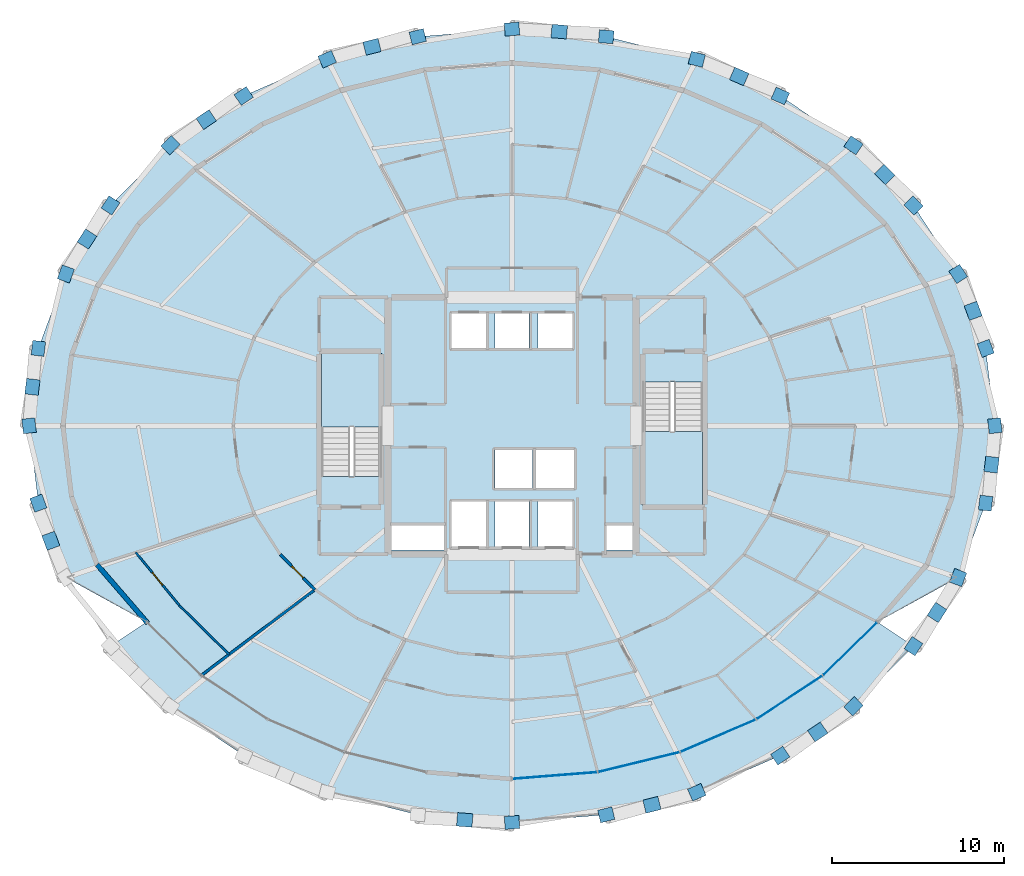
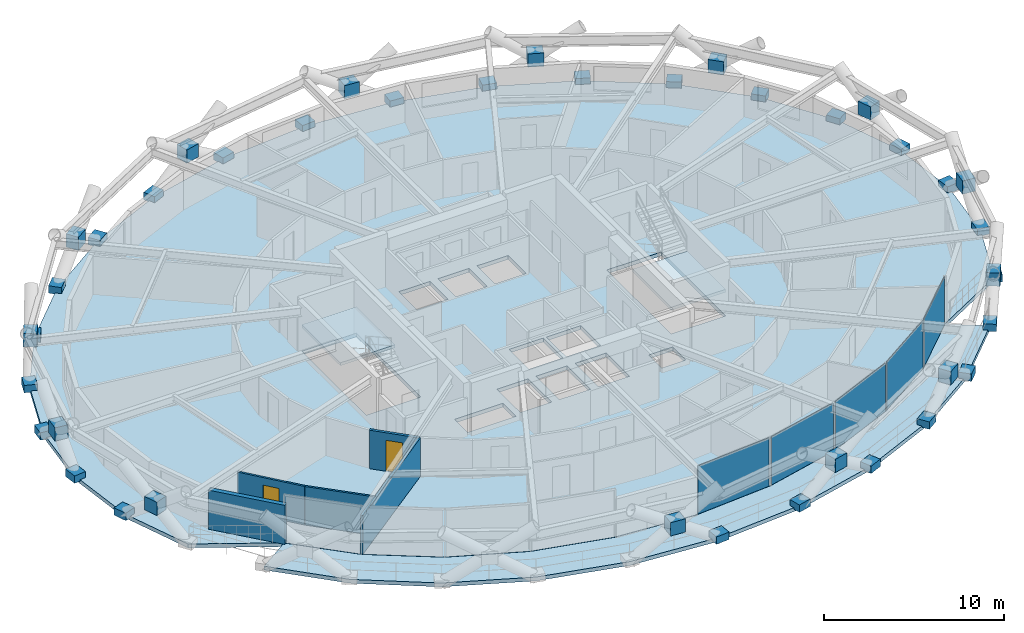
# One storey, part 11 of 18: 45 plates, 5 walls, 4 slabs, 2 doors, 2 openings, 3 elements without a shape of their own.
"""IFC4 building model written with IfcOpenShell, lengths in metres."""

from ifc_helpers import new_model, si_unit, direction, frame, frame_2d, origin, origin_2d, place, context, subcontext, project, spatial, polyline, rectangle, outline, extrude, material, layer, layer_set, type_object, element, fill, aggregate, save


model = new_model("IFC4")

# Units and contexts
model_context = context("Model", 3, precision=1e-05, world=origin(), true_north=direction((0.0, 1.0)))
body_context = subcontext(model_context, "Body", "Model", "MODEL_VIEW")
ifc_project = project(units=[si_unit("LENGTHUNIT", "METRE"), si_unit("AREAUNIT", "SQUARE_METRE"), si_unit("VOLUMEUNIT", "CUBIC_METRE"), si_unit("PLANEANGLEUNIT", "RADIAN"), si_unit("MASSUNIT", "GRAM", prefix="KILO")], contexts=[model_context])

# Site, building, storey
site_placement = place(None, origin())
site = spatial("IfcSite", under=ifc_project, at=site_placement, CompositionType="ELEMENT")
building_placement = place(site_placement, origin())
building = spatial("IfcBuilding", under=site, at=building_placement, Name="Veldorina Hangang Commons", CompositionType="ELEMENT")
storey_placement = place(building_placement, frame((0.0, 0.0, 41.199951171875)))
storey = spatial("IfcBuildingStorey", under=building, at=storey_placement, Name="L09", CompositionType="ELEMENT", Elevation=41.199951171875)

# Curtain wall, plates
ifc_material_1 = material(Name="Glass Low-E Triple IGU", Category="glass")
ifc_layer_1 = layer(ifc_material_1, 0.179931640625)
ifc_layer_set_1 = layer_set([ifc_layer_1], Name="Glass Low-E Triple IGU")
curtain_wall_type = type_object("IfcCurtainWallType", Name="CW-SYS-Z1", PredefinedType="NOTDEFINED", material=ifc_layer_set_1)
curtain_wall_placement = place(storey_placement, origin())
curtain_wall = element("IfcCurtainWall", 1, at=curtain_wall_placement, inside=storey, type_object=curtain_wall_type, Name="L09 unitised curtain wall CW-L09-R2", PredefinedType="NOTDEFINED")
ifc_layer_2 = layer(ifc_material_1, 0.0400390625)
ifc_layer_set_2 = layer_set([ifc_layer_2], Name="Glass Low-E Triple IGU")
plate_type_1 = type_object("IfcPlateType", Name="CW-PNL-VIS", PredefinedType="CURTAIN_PANEL", material=ifc_layer_set_2)
plate_1_placement = place(storey_placement, frame((34.485107421875, 3.72119140625, 0.01513671875), z_axis=(0.0, 0.0, 1.0), x_axis=(0.996881627483, 0.07891147437, 0.0)))
plate_1 = element("IfcPlate", 2, at=plate_1_placement, type_object=plate_type_1, Name="CW-L09-R2 facet 1 glazed vision panel", PredefinedType="CURTAIN_PANEL", context=body_context, shape_type="SweptSolid", body=[
    extrude(rectangle(XDim=4.805419921875, YDim=0.0400390625, at=origin_2d()), origin(), (0.0, 0.0, 1.0), 3.27001953125),
])
plate_2_placement = place(storey_placement, frame((39.359619140625, 4.50048828125, 0.01513671875), z_axis=(0.0, 0.0, 1.0), x_axis=(0.971540852195, 0.236872059383, 0.0)))
plate_2 = element("IfcPlate", 3, at=plate_2_placement, type_object=plate_type_1, Name="CW-L09-R2 facet 2 glazed vision panel", PredefinedType="CURTAIN_PANEL", context=body_context, shape_type="SweptSolid", body=[
    extrude(rectangle(XDim=4.739013671875, YDim=0.0400390625, at=origin_2d()), origin(), (0.0, 0.0, 1.0), 3.27001953125),
])
plate_3_placement = place(storey_placement, frame((43.951171875, 6.029296875, 0.01513671875), z_axis=(0.0, 0.0, 1.0), x_axis=(0.918804988749, 0.39471178428, 0.0)))
plate_3 = element("IfcPlate", 4, at=plate_3_placement, type_object=plate_type_1, Name="CW-L09-R2 facet 3 glazed vision panel", PredefinedType="CURTAIN_PANEL", context=body_context, shape_type="SweptSolid", body=[
    extrude(rectangle(XDim=4.613525390625, YDim=0.0400390625, at=origin_2d()), origin(), (0.0, 0.0, 1.0), 3.27001953125),
])
plate_4_placement = place(storey_placement, frame((48.08349609375, 8.24853515625, 0.01513671875), z_axis=(0.0, 0.0, 1.0), x_axis=(0.834751773535, 0.55062644014, 0.0)))
plate_4 = element("IfcPlate", 5, at=plate_4_placement, type_object=plate_type_1, Name="CW-L09-R2 facet 4 glazed vision panel", PredefinedType="CURTAIN_PANEL", context=body_context, shape_type="SweptSolid", body=[
    extrude(rectangle(XDim=4.444580078125, YDim=0.0400390625, at=origin_2d()), origin(), (0.0, 0.0, 1.0), 3.27001953125),
])
plate_5_placement = place(storey_placement, frame((51.597900390625, 11.072998046875, 0.01513671875), z_axis=(0.0, 0.0, 1.0), x_axis=(0.71444825634, 0.699688279888, 0.0)))
plate_5 = element("IfcPlate", 6, at=plate_5_placement, type_object=plate_type_1, Name="CW-L09-R2 facet 5 glazed vision panel", PredefinedType="CURTAIN_PANEL", context=body_context, shape_type="SweptSolid", body=[
    extrude(rectangle(XDim=4.25439453125, YDim=0.0400390625, at=origin_2d()), origin(), (0.0, 0.0, 1.0), 3.27001953125),
])
aggregate(curtain_wall, [plate_1, plate_2, plate_3, plate_4, plate_5])

# Plates
ifc_material_2 = material(Name="Steel SM460-TMC", Category="steel")
ifc_layer_3 = layer(ifc_material_2, 0.035888671875)
ifc_layer_set_3 = layer_set([ifc_layer_3], Name="Steel SM460-TMC")
plate_type_2 = type_object("IfcPlateType", Name="PL-STAR-36", PredefinedType="USERDEFINED", material=ifc_layer_set_3)
for number, where, z_axis, x_axis, name in (
    (7, (59.995361328125, 24.0, -0.08984375), (0.0, 0.0, 1.0), (-0.11904517272, 0.992888839122, 0.0), "L09 diagrid star-node gusset plate 00"),
    (8, (59.45751953125, 28.486083984375, -0.08984375), (0.0, 0.0, 1.0), (-0.34642815407, 0.938076507577, 0.0), "L09 diagrid star-node gusset plate 01"),
):
    element("IfcPlate", number, at=place(storey_placement, frame(where, z_axis=z_axis, x_axis=x_axis)), inside=storey, type_object=plate_type_2, Name=name, ObjectType="GUSSET PLATE", PredefinedType="USERDEFINED", context=body_context, shape_type="SweptSolid", body=[
        extrude(rectangle(XDim=0.85009765625, YDim=0.75, at=origin_2d()), origin(), (0.0, 0.0, 1.0), 0.5),
    ])
plate_6_placement = place(storey_placement, frame((58.735107421875, 30.66552734375, 1.34423828125), z_axis=(0.0, 0.0, 1.0), x_axis=(-0.34642815407, 0.938076507577, 0.0)))
element("IfcPlate", 9, at=plate_6_placement, inside=storey, type_object=plate_type_2, Name="L09 diagrid X-crossing star-node gusset plate 01", ObjectType="GUSSET PLATE", PredefinedType="USERDEFINED", context=body_context, shape_type="SweptSolid", body=[
    extrude(rectangle(XDim=0.89990234375, YDim=0.780029296875, at=origin_2d()), origin(), (0.0, 0.0, 1.0), 0.89990234375),
])
for number, where, z_axis, x_axis, name in (
    (10, (57.864501953125, 32.800048828125, -0.08984375), (0.0, 0.0, 1.0), (-0.545429221395, 0.838156885343, 0.0), "L09 diagrid star-node gusset plate 02"),
    (11, (55.27734375, 36.775634765625, -0.08984375), (0.0, 0.0, 1.0), (-0.706798180347, 0.707415247403, 0.0), "L09 diagrid star-node gusset plate 03"),
):
    element("IfcPlate", number, at=place(storey_placement, frame(where, z_axis=z_axis, x_axis=x_axis)), inside=storey, type_object=plate_type_2, Name=name, ObjectType="GUSSET PLATE", PredefinedType="USERDEFINED", context=body_context, shape_type="SweptSolid", body=[
        extrude(rectangle(XDim=0.85009765625, YDim=0.75, at=origin_2d()), origin(), (0.0, 0.0, 1.0), 0.5),
    ])
plate_7_placement = place(storey_placement, frame((53.5966796875, 38.5673828125, 1.344482421875), z_axis=(0.0, 0.0, 1.0), x_axis=(-0.706798180347, 0.707415247403, 0.0)))
element("IfcPlate", 12, at=plate_7_placement, inside=storey, type_object=plate_type_2, Name="L09 diagrid X-crossing star-node gusset plate 03", ObjectType="GUSSET PLATE", PredefinedType="USERDEFINED", context=body_context, shape_type="SweptSolid", body=[
    extrude(rectangle(XDim=0.89990234375, YDim=0.780029296875, at=origin_2d()), origin(), (0.0, 0.0, 1.0), 0.89990234375),
])
for number, where, z_axis, x_axis, name in (
    (13, (51.795654296875, 40.26025390625, -0.08984375), (0.0, 0.0, 1.0), (-0.829183940502, 0.558975842781, 0.0), "L09 diagrid star-node gusset plate 04"),
    (14, (47.553466796875, 43.1201171875, -0.08984375), (0.0, 0.0, 1.0), (-0.91563452986, 0.402011700985, 0.0), "L09 diagrid star-node gusset plate 05"),
):
    element("IfcPlate", number, at=place(storey_placement, frame(where, z_axis=z_axis, x_axis=x_axis)), inside=storey, type_object=plate_type_2, Name=name, ObjectType="GUSSET PLATE", PredefinedType="USERDEFINED", context=body_context, shape_type="SweptSolid", body=[
        extrude(rectangle(XDim=0.85009765625, YDim=0.75, at=origin_2d()), origin(), (0.0, 0.0, 1.0), 0.5),
    ])
plate_8_placement = place(storey_placement, frame((45.169921875, 44.2509765625, 1.344970703125), z_axis=(0.0, 0.0, 1.0), x_axis=(-0.91563452986, 0.402011700985, 0.0)))
element("IfcPlate", 15, at=plate_8_placement, inside=storey, type_object=plate_type_2, Name="L09 diagrid X-crossing star-node gusset plate 05", ObjectType="GUSSET PLATE", PredefinedType="USERDEFINED", context=body_context, shape_type="SweptSolid", body=[
    extrude(rectangle(XDim=0.89990234375, YDim=0.780029296875, at=origin_2d()), origin(), (0.0, 0.0, 1.0), 0.89990234375),
])
for number, where, z_axis, x_axis, name in (
    (16, (42.71337890625, 45.2451171875, -0.08984375), (0.0, 0.0, 1.0), (-0.970333715308, 0.241769478919, 0.0), "L09 diagrid star-node gusset plate 06"),
    (17, (37.461669921875, 46.553466796875, -0.08984375), (0.0, 0.0, 1.0), (-0.996742382711, 0.080651239963, 0.0), "L09 diagrid star-node gusset plate 07"),
):
    element("IfcPlate", number, at=place(storey_placement, frame(where, z_axis=z_axis, x_axis=x_axis)), inside=storey, type_object=plate_type_2, Name=name, ObjectType="GUSSET PLATE", PredefinedType="USERDEFINED", context=body_context, shape_type="SweptSolid", body=[
        extrude(rectangle(XDim=0.85009765625, YDim=0.75, at=origin_2d()), origin(), (0.0, 0.0, 1.0), 0.5),
    ])
plate_9_placement = place(storey_placement, frame((34.73828125, 46.851318359375, 1.34521484375), z_axis=(0.0, 0.0, 1.0), x_axis=(-0.996742382711, 0.080651239963, 0.0)))
element("IfcPlate", 18, at=plate_9_placement, inside=storey, type_object=plate_type_2, Name="L09 diagrid X-crossing star-node gusset plate 07", ObjectType="GUSSET PLATE", PredefinedType="USERDEFINED", context=body_context, shape_type="SweptSolid", body=[
    extrude(rectangle(XDim=0.89990234375, YDim=0.780029296875, at=origin_2d()), origin(), (0.0, 0.0, 1.0), 0.89990234375),
])
for number, where, z_axis, x_axis, name in (
    (19, (32.0, 46.995361328125, -0.08984375), (0.0, 0.0, 1.0), (-0.996742382711, -0.080651239963, 0.0), "L09 diagrid star-node gusset plate 08"),
    (20, (26.538330078125, 46.553466796875, -0.08984375), (0.0, 0.0, 1.0), (-0.970333715308, -0.241769478919, 0.0), "L09 diagrid star-node gusset plate 09"),
):
    element("IfcPlate", number, at=place(storey_placement, frame(where, z_axis=z_axis, x_axis=x_axis)), inside=storey, type_object=plate_type_2, Name=name, ObjectType="GUSSET PLATE", PredefinedType="USERDEFINED", context=body_context, shape_type="SweptSolid", body=[
        extrude(rectangle(XDim=0.85009765625, YDim=0.75, at=origin_2d()), origin(), (0.0, 0.0, 1.0), 0.5),
    ])
plate_10_placement = place(storey_placement, frame((23.89013671875, 45.97265625, 1.34521484375), z_axis=(0.0, 0.0, 1.0), x_axis=(-0.970333715308, -0.241769478919, 0.0)))
element("IfcPlate", 21, at=plate_10_placement, inside=storey, type_object=plate_type_2, Name="L09 diagrid X-crossing star-node gusset plate 09", ObjectType="GUSSET PLATE", PredefinedType="USERDEFINED", context=body_context, shape_type="SweptSolid", body=[
    extrude(rectangle(XDim=0.89990234375, YDim=0.780029296875, at=origin_2d()), origin(), (0.0, 0.0, 1.0), 0.89990234375),
])
for number, where, z_axis, x_axis, name in (
    (22, (21.28662109375, 45.2451171875, -0.08984375), (0.0, 0.0, 1.0), (-0.91563452986, -0.402011700985, 0.0), "L09 diagrid star-node gusset plate 10"),
    (23, (16.446533203125, 43.1201171875, -0.08984375), (0.0, 0.0, 1.0), (-0.829183940502, -0.558975842781, 0.0), "L09 diagrid star-node gusset plate 11"),
):
    element("IfcPlate", number, at=place(storey_placement, frame(where, z_axis=z_axis, x_axis=x_axis)), inside=storey, type_object=plate_type_2, Name=name, ObjectType="GUSSET PLATE", PredefinedType="USERDEFINED", context=body_context, shape_type="SweptSolid", body=[
        extrude(rectangle(XDim=0.85009765625, YDim=0.75, at=origin_2d()), origin(), (0.0, 0.0, 1.0), 0.5),
    ])
plate_11_placement = place(storey_placement, frame((14.27685546875, 41.7490234375, 1.3447265625), z_axis=(0.0, 0.0, 1.0), x_axis=(-0.829183940502, -0.558975842781, 0.0)))
element("IfcPlate", 24, at=plate_11_placement, inside=storey, type_object=plate_type_2, Name="L09 diagrid X-crossing star-node gusset plate 11", ObjectType="GUSSET PLATE", PredefinedType="USERDEFINED", context=body_context, shape_type="SweptSolid", body=[
    extrude(rectangle(XDim=0.89990234375, YDim=0.780029296875, at=origin_2d()), origin(), (0.0, 0.0, 1.0), 0.89990234375),
])
for number, where, z_axis, x_axis, name in (
    (25, (12.204345703125, 40.26025390625, -0.08984375), (0.0, 0.0, 1.0), (-0.706798180347, -0.707415247403, 0.0), "L09 diagrid star-node gusset plate 12"),
    (26, (8.72265625, 36.775634765625, -0.08984375), (0.0, 0.0, 1.0), (-0.545429221395, -0.838156885343, 0.0), "L09 diagrid star-node gusset plate 13"),
):
    element("IfcPlate", number, at=place(storey_placement, frame(where, z_axis=z_axis, x_axis=x_axis)), inside=storey, type_object=plate_type_2, Name=name, ObjectType="GUSSET PLATE", PredefinedType="USERDEFINED", context=body_context, shape_type="SweptSolid", body=[
        extrude(rectangle(XDim=0.85009765625, YDim=0.75, at=origin_2d()), origin(), (0.0, 0.0, 1.0), 0.5),
    ])
plate_12_placement = place(storey_placement, frame((7.36181640625, 34.82373046875, 1.344482421875), z_axis=(0.0, 0.0, 1.0), x_axis=(-0.545429221395, -0.838156885343, 0.0)))
element("IfcPlate", 27, at=plate_12_placement, inside=storey, type_object=plate_type_2, Name="L09 diagrid X-crossing star-node gusset plate 13", ObjectType="GUSSET PLATE", PredefinedType="USERDEFINED", context=body_context, shape_type="SweptSolid", body=[
    extrude(rectangle(XDim=0.89990234375, YDim=0.780029296875, at=origin_2d()), origin(), (0.0, 0.0, 1.0), 0.89990234375),
])
for number, where, z_axis, x_axis, name in (
    (28, (6.135498046875, 32.800048828125, -0.08984375), (0.0, 0.0, 1.0), (-0.34642815407, -0.938076507577, 0.0), "L09 diagrid star-node gusset plate 14"),
    (29, (4.54248046875, 28.486083984375, -0.08984375), (0.0, 0.0, 1.0), (-0.11904517272, -0.992888839122, 0.0), "L09 diagrid star-node gusset plate 15"),
):
    element("IfcPlate", number, at=place(storey_placement, frame(where, z_axis=z_axis, x_axis=x_axis)), inside=storey, type_object=plate_type_2, Name=name, ObjectType="GUSSET PLATE", PredefinedType="USERDEFINED", context=body_context, shape_type="SweptSolid", body=[
        extrude(rectangle(XDim=0.85009765625, YDim=0.75, at=origin_2d()), origin(), (0.0, 0.0, 1.0), 0.5),
    ])
plate_13_placement = place(storey_placement, frame((4.197021484375, 26.25048828125, 1.343994140625), z_axis=(0.0, 0.0, 1.0), x_axis=(-0.11904517272, -0.992888839122, 0.0)))
element("IfcPlate", 30, at=plate_13_placement, inside=storey, type_object=plate_type_2, Name="L09 diagrid X-crossing star-node gusset plate 15", ObjectType="GUSSET PLATE", PredefinedType="USERDEFINED", context=body_context, shape_type="SweptSolid", body=[
    extrude(rectangle(XDim=0.89990234375, YDim=0.780029296875, at=origin_2d()), origin(), (0.0, 0.0, 1.0), 0.89990234375),
])
for number, where, z_axis, x_axis, name in (
    (31, (4.004638671875, 24.0, -0.08984375), (0.0, 0.0, 1.0), (0.11904517272, -0.992888839122, 0.0), "L09 diagrid star-node gusset plate 16"),
    (32, (4.54248046875, 19.513916015625, -0.08984375), (0.0, 0.0, 1.0), (0.34642815407, -0.938076507577, 0.0), "L09 diagrid star-node gusset plate 17"),
):
    element("IfcPlate", number, at=place(storey_placement, frame(where, z_axis=z_axis, x_axis=x_axis)), inside=storey, type_object=plate_type_2, Name=name, ObjectType="GUSSET PLATE", PredefinedType="USERDEFINED", context=body_context, shape_type="SweptSolid", body=[
        extrude(rectangle(XDim=0.85009765625, YDim=0.75, at=origin_2d()), origin(), (0.0, 0.0, 1.0), 0.5),
    ])
for number, where, z_axis, x_axis, name in (
    (33, (5.264892578125, 17.33447265625, 1.34423828125), (0.0, 0.0, 1.0), (0.34642815407, -0.938076507577, 0.0), "L09 diagrid X-crossing star-node gusset plate 17"),
    (34, (29.26171875, 1.148681640625, 1.34521484375), (0.0, 0.0, 1.0), (0.996742382711, -0.080651239963, 0.0), "L09 diagrid X-crossing star-node gusset plate 23"),
):
    element("IfcPlate", number, at=place(storey_placement, frame(where, z_axis=z_axis, x_axis=x_axis)), inside=storey, type_object=plate_type_2, Name=name, ObjectType="GUSSET PLATE", PredefinedType="USERDEFINED", context=body_context, shape_type="SweptSolid", body=[
        extrude(rectangle(XDim=0.89990234375, YDim=0.780029296875, at=origin_2d()), origin(), (0.0, 0.0, 1.0), 0.89990234375),
    ])
for number, where, z_axis, x_axis, name in (
    (35, (32.0, 1.004638671875, -0.08984375), (0.0, 0.0, 1.0), (0.996742382711, 0.080651239963, 0.0), "L09 diagrid star-node gusset plate 24"),
    (36, (37.461669921875, 1.446533203125, -0.08984375), (0.0, 0.0, 1.0), (0.970333715308, 0.241769478919, 0.0), "L09 diagrid star-node gusset plate 25"),
):
    element("IfcPlate", number, at=place(storey_placement, frame(where, z_axis=z_axis, x_axis=x_axis)), inside=storey, type_object=plate_type_2, Name=name, ObjectType="GUSSET PLATE", PredefinedType="USERDEFINED", context=body_context, shape_type="SweptSolid", body=[
        extrude(rectangle(XDim=0.85009765625, YDim=0.75, at=origin_2d()), origin(), (0.0, 0.0, 1.0), 0.5),
    ])
plate_14_placement = place(storey_placement, frame((40.10986328125, 2.02734375, 1.34521484375), z_axis=(0.0, 0.0, 1.0), x_axis=(0.970333715308, 0.241769478919, 0.0)))
element("IfcPlate", 37, at=plate_14_placement, inside=storey, type_object=plate_type_2, Name="L09 diagrid X-crossing star-node gusset plate 25", ObjectType="GUSSET PLATE", PredefinedType="USERDEFINED", context=body_context, shape_type="SweptSolid", body=[
    extrude(rectangle(XDim=0.89990234375, YDim=0.780029296875, at=origin_2d()), origin(), (0.0, 0.0, 1.0), 0.89990234375),
])
for number, where, z_axis, x_axis, name in (
    (38, (42.71337890625, 2.7548828125, -0.08984375), (0.0, 0.0, 1.0), (0.91563452986, 0.402011700985, 0.0), "L09 diagrid star-node gusset plate 26"),
    (39, (47.553466796875, 4.8798828125, -0.08984375), (0.0, 0.0, 1.0), (0.829183940502, 0.558975842781, 0.0), "L09 diagrid star-node gusset plate 27"),
):
    element("IfcPlate", number, at=place(storey_placement, frame(where, z_axis=z_axis, x_axis=x_axis)), inside=storey, type_object=plate_type_2, Name=name, ObjectType="GUSSET PLATE", PredefinedType="USERDEFINED", context=body_context, shape_type="SweptSolid", body=[
        extrude(rectangle(XDim=0.85009765625, YDim=0.75, at=origin_2d()), origin(), (0.0, 0.0, 1.0), 0.5),
    ])
plate_15_placement = place(storey_placement, frame((49.72314453125, 6.2509765625, 1.3447265625), z_axis=(0.0, 0.0, 1.0), x_axis=(0.829183940502, 0.558975842781, 0.0)))
element("IfcPlate", 40, at=plate_15_placement, inside=storey, type_object=plate_type_2, Name="L09 diagrid X-crossing star-node gusset plate 27", ObjectType="GUSSET PLATE", PredefinedType="USERDEFINED", context=body_context, shape_type="SweptSolid", body=[
    extrude(rectangle(XDim=0.89990234375, YDim=0.780029296875, at=origin_2d()), origin(), (0.0, 0.0, 1.0), 0.89990234375),
])
for number, where, z_axis, x_axis, name in (
    (41, (51.795654296875, 7.73974609375, -0.08984375), (0.0, 0.0, 1.0), (0.706798180347, 0.707415247403, 0.0), "L09 diagrid star-node gusset plate 28"),
    (42, (55.27734375, 11.224365234375, -0.08984375), (0.0, 0.0, 1.0), (0.545429221395, 0.838156885343, 0.0), "L09 diagrid star-node gusset plate 29"),
):
    element("IfcPlate", number, at=place(storey_placement, frame(where, z_axis=z_axis, x_axis=x_axis)), inside=storey, type_object=plate_type_2, Name=name, ObjectType="GUSSET PLATE", PredefinedType="USERDEFINED", context=body_context, shape_type="SweptSolid", body=[
        extrude(rectangle(XDim=0.85009765625, YDim=0.75, at=origin_2d()), origin(), (0.0, 0.0, 1.0), 0.5),
    ])
plate_16_placement = place(storey_placement, frame((56.63818359375, 13.17626953125, 1.344482421875), z_axis=(0.0, 0.0, 1.0), x_axis=(0.545429221395, 0.838156885343, 0.0)))
element("IfcPlate", 43, at=plate_16_placement, inside=storey, type_object=plate_type_2, Name="L09 diagrid X-crossing star-node gusset plate 29", ObjectType="GUSSET PLATE", PredefinedType="USERDEFINED", context=body_context, shape_type="SweptSolid", body=[
    extrude(rectangle(XDim=0.89990234375, YDim=0.780029296875, at=origin_2d()), origin(), (0.0, 0.0, 1.0), 0.89990234375),
])
for number, where, z_axis, x_axis, name in (
    (44, (57.864501953125, 15.199951171875, -0.08984375), (0.0, 0.0, 1.0), (0.34642815407, 0.938076507577, 0.0), "L09 diagrid star-node gusset plate 30"),
    (45, (59.45751953125, 19.513916015625, -0.08984375), (0.0, 0.0, 1.0), (0.11904517272, 0.992888839122, 0.0), "L09 diagrid star-node gusset plate 31"),
):
    element("IfcPlate", number, at=place(storey_placement, frame(where, z_axis=z_axis, x_axis=x_axis)), inside=storey, type_object=plate_type_2, Name=name, ObjectType="GUSSET PLATE", PredefinedType="USERDEFINED", context=body_context, shape_type="SweptSolid", body=[
        extrude(rectangle(XDim=0.85009765625, YDim=0.75, at=origin_2d()), origin(), (0.0, 0.0, 1.0), 0.5),
    ])
plate_17_placement = place(storey_placement, frame((59.802978515625, 21.74951171875, 1.343994140625), z_axis=(0.0, 0.0, 1.0), x_axis=(0.11904517272, 0.992888839122, 0.0)))
element("IfcPlate", 46, at=plate_17_placement, inside=storey, type_object=plate_type_2, Name="L09 diagrid X-crossing star-node gusset plate 31", ObjectType="GUSSET PLATE", PredefinedType="USERDEFINED", context=body_context, shape_type="SweptSolid", body=[
    extrude(rectangle(XDim=0.89990234375, YDim=0.780029296875, at=origin_2d()), origin(), (0.0, 0.0, 1.0), 0.89990234375),
])

# Slabs
ifc_material_3 = material(Name="Concrete C40/50", Category="concrete")
ifc_layer_4 = layer(ifc_material_3, 0.260009765625)
ifc_layer_set_4 = layer_set([ifc_layer_4], Name="Concrete C40/50")
slab_type_1 = type_object("IfcSlabType", Name="SL-FLR-260", PredefinedType="FLOOR", material=ifc_layer_set_4)
slab_1_placement = place(storey_placement, frame((0.0, 0.0, -0.260009765625)))
element("IfcSlab", 47, at=slab_1_placement, inside=storey, type_object=slab_type_1, Name="L09 tower structural floor slab", PredefinedType="FLOOR", context=body_context, shape_type="SweptSolid", body=[
    extrude(outline(polyline([(59.995361328125, 24.0), (59.45751953125, 28.486083984375), (57.864501953125, 32.800048828125), (55.27734375, 36.775634765625), (51.795654296875, 40.26025390625), (47.553466796875, 43.1201171875), (42.71337890625, 45.2451171875), (37.461669921875, 46.553466796875), (32.0, 46.995361328125), (26.538330078125, 46.553466796875), (21.28662109375, 45.2451171875), (16.446533203125, 43.1201171875), (12.204345703125, 40.26025390625), (8.72265625, 36.775634765625), (6.135498046875, 32.800048828125), (4.54248046875, 28.486083984375), (4.004638671875, 24.0), (4.54248046875, 19.513916015625), (6.135498046875, 15.199951171875), (10.818115234375, 12.62451171875), (13.986083984375, 9.521728515625), (17.8466796875, 6.975341796875), (22.2509765625, 5.083251953125), (27.030029296875, 3.91796875), (32.0, 3.524658203125), (36.969970703125, 3.91796875), (41.7490234375, 5.083251953125), (46.1533203125, 6.975341796875), (50.013916015625, 9.521728515625), (53.181884765625, 12.62451171875), (57.864501953125, 15.199951171875), (59.45751953125, 19.513916015625), (59.995361328125, 24.0)]), holes=[polyline([(20.949951171875, 21.05810546875), (20.949951171875, 28.199951171875), (24.449951171875, 28.199951171875), (24.449951171875, 21.05810546875), (20.949951171875, 21.05810546875)]), polyline([(43.050048828125, 26.5419921875), (43.050048828125, 19.39990234375), (39.550048828125, 19.39990234375), (39.550048828125, 26.5419921875), (43.050048828125, 26.5419921875)]), polyline([(28.5, 30.5), (30.5, 30.5), (30.5, 28.5), (28.5, 28.5), (28.5, 30.5)]), polyline([(31.0, 30.5), (33.0, 30.5), (33.0, 28.5), (31.0, 28.5), (31.0, 30.5)]), polyline([(33.5, 30.5), (35.5, 30.5), (35.5, 28.5), (33.5, 28.5), (33.5, 30.5)]), polyline([(31.0, 22.60009765625), (33.199951171875, 22.60009765625), (33.199951171875, 20.39990234375), (31.0, 20.39990234375), (31.0, 22.60009765625)]), polyline([(33.39990234375, 22.60009765625), (35.60009765625, 22.60009765625), (35.60009765625, 20.39990234375), (33.39990234375, 20.39990234375), (33.39990234375, 22.60009765625)]), polyline([(28.5, 19.60009765625), (30.5, 19.60009765625), (30.5, 17.0), (28.5, 17.0), (28.5, 19.60009765625)]), polyline([(31.0, 19.60009765625), (33.0, 19.60009765625), (33.0, 17.0), (31.0, 17.0), (31.0, 19.60009765625)]), polyline([(33.5, 19.60009765625), (35.5, 19.60009765625), (35.5, 17.0), (33.5, 17.0), (33.5, 19.60009765625)]), polyline([(25.0, 18.25), (28.10009765625, 18.25), (28.10009765625, 16.800048828125), (25.0, 16.800048828125), (25.0, 18.25)]), polyline([(37.449951171875, 18.25), (39.0, 18.25), (39.0, 16.800048828125), (37.449951171875, 16.800048828125), (37.449951171875, 18.25)])]), origin(), (0.0, 0.0, 1.0), 0.260009765625),
])
slab_2_placement = place(storey_placement, frame((0.0, 0.0, -0.260009765625)))
element("IfcSlab", 48, at=slab_2_placement, inside=storey, type_object=slab_type_1, Name="L09 sky-garden loggia outdoor slab", PredefinedType="FLOOR", context=body_context, shape_type="SweptSolid", body=[
    extrude(outline(polyline([(55.27734375, 11.224365234375), (51.795654296875, 7.73974609375), (47.553466796875, 4.8798828125), (42.71337890625, 2.7548828125), (37.461669921875, 1.446533203125), (32.0, 1.004638671875), (26.538330078125, 1.446533203125), (21.28662109375, 2.7548828125), (16.446533203125, 4.8798828125), (12.204345703125, 7.73974609375), (8.72265625, 11.224365234375), (10.803955078125, 12.614990234375), (10.80908203125, 12.6123046875), (13.9755859375, 9.510986328125), (13.976806640625, 9.510009765625), (13.977783203125, 9.50927734375), (17.83837890625, 6.962890625), (17.839599609375, 6.962158203125), (17.8408203125, 6.96142578125), (22.2451171875, 5.0693359375), (22.24609375, 5.069091796875), (22.247314453125, 5.068603515625), (27.0263671875, 3.9033203125), (27.027587890625, 3.9033203125), (27.02880859375, 3.903076171875), (31.998779296875, 3.509521484375), (32.0, 3.509521484375), (32.001220703125, 3.509521484375), (36.97119140625, 3.903076171875), (36.972412109375, 3.9033203125), (36.9736328125, 3.9033203125), (41.752685546875, 5.068603515625), (41.75390625, 5.069091796875), (41.7548828125, 5.0693359375), (46.1591796875, 6.96142578125), (46.160400390625, 6.962158203125), (46.16162109375, 6.962890625), (50.022216796875, 9.50927734375), (50.023193359375, 9.510009765625), (50.0244140625, 9.510986328125), (53.19091796875, 12.6123046875), (53.196044921875, 12.614990234375), (55.27734375, 11.224365234375)])), origin(), (0.0, 0.0, 1.0), 0.260009765625),
])

# Stair, slab
stair_type = type_object("IfcStairType", Name="STR-DOG-1650-20R", PredefinedType="HALF_TURN_STAIR", material=ifc_material_3)
stair_1_placement = place(storey_placement, origin())
stair_1 = element("IfcStair", 49, at=stair_1_placement, inside=storey, type_object=stair_type, Name="L09 Exit stair ST-1", PredefinedType="HALF_TURN_STAIR")
ifc_layer_5 = layer(ifc_material_3, 0.199951171875)
ifc_layer_set_5 = layer_set([ifc_layer_5], Name="Concrete C40/50")
slab_type_2 = type_object("IfcSlabType", Name="SL-LND-200", PredefinedType="LANDING", material=ifc_layer_set_5)
slab_3_placement = place(storey_placement, frame((0.0, 0.0, 1.60009765625)))
slab_3 = element("IfcSlab", 50, at=slab_3_placement, type_object=slab_type_2, Name="ST-1 landing 1", PredefinedType="LANDING", context=body_context, shape_type="SweptSolid", body=[
    extrude(outline(polyline([(24.449951171875, 23.929931640625), (24.449951171875, 28.199951171875), (20.949951171875, 28.199951171875), (20.949951171875, 23.929931640625), (24.449951171875, 23.929931640625)])), origin(), (0.0, 0.0, 1.0), 0.199951171875),
])
aggregate(stair_1, [slab_3])

stair_2_placement = place(storey_placement, origin())
stair_2 = element("IfcStair", 51, at=stair_2_placement, inside=storey, type_object=stair_type, Name="L09 Exit stair ST-2", PredefinedType="HALF_TURN_STAIR")
slab_4_placement = place(storey_placement, frame((0.0, 0.0, 1.60009765625)))
slab_4 = element("IfcSlab", 52, at=slab_4_placement, type_object=slab_type_2, Name="ST-2 landing 1", PredefinedType="LANDING", context=body_context, shape_type="SweptSolid", body=[
    extrude(outline(polyline([(39.550048828125, 23.669921875), (39.550048828125, 19.39990234375), (43.050048828125, 19.39990234375), (43.050048828125, 23.669921875), (39.550048828125, 23.669921875)])), origin(), (0.0, 0.0, 1.0), 0.199951171875),
])
aggregate(stair_2, [slab_4])

# Wall
ifc_material_4 = material(Name="Stone Roman Travertine", Category="masonry")
ifc_layer_6 = layer(ifc_material_4, 0.280029296875)
ifc_layer_set_6 = layer_set([ifc_layer_6], Name="Stone Roman Travertine")
wall_type_1 = type_object("IfcWallType", Name="EW-TRAV-280", PredefinedType="STANDARD", material=ifc_layer_set_6)
wall_1_placement = place(storey_placement, frame((7.9462890625, 15.9501953125, 0.0), z_axis=(0.0, 0.0, 1.0), x_axis=(0.653570276047, -0.756865836372, 0.0)))
element("IfcWall", 53, at=wall_1_placement, inside=storey, type_object=wall_type_1, Name="L09 travertine facade wall 18", PredefinedType="STANDARD", context=body_context, shape_type="SweptSolid", body=[
    extrude(rectangle(XDim=4.48583984375, YDim=0.280029296875, at=frame_2d((2.242919921875, 0.0))), origin(), (0.0, 0.0, 1.0), 2.650146484375),
])

# Wall, opening, door
ifc_material_5 = material(Name="Gypsum Fire-Rated Twin Stud Wall", Category="gypsum")
ifc_layer_7 = layer(ifc_material_5, 0.159912109375)
ifc_layer_set_7 = layer_set([ifc_layer_7], Name="Gypsum Fire-Rated Twin Stud Wall")
wall_type_2 = type_object("IfcWallType", Name="WL-FIRE-160", PredefinedType="SOLIDWALL", material=ifc_layer_set_7)
wall_2_placement = place(storey_placement, frame((18.561767578125, 16.53662109375, 0.0), z_axis=(0.0, 0.0, 1.0), x_axis=(0.702569520063, -0.711615113301, 0.0)))
wall_2 = element("IfcWall", 54, at=wall_2_placement, inside=storey, type_object=wall_type_2, Name="L09 Corridor outer wall 19 064", PredefinedType="SOLIDWALL", context=body_context, shape_type="SweptSolid", body=[
    extrude(rectangle(XDim=2.86083984375, YDim=0.159912109375, at=frame_2d((1.430419921875, 0.0))), origin(), (0.0, 0.0, 1.0), 2.610107421875),
])
opening_1_placement = place(wall_2_placement, frame((0.955322265625, 0.0, 0.0)))
opening_1 = element("IfcOpeningElement", 55, at=opening_1_placement, cuts=wall_2, Name="Opening D-02", PredefinedType="OPENING", context=body_context, shape_type="SweptSolid", body=[
    extrude(rectangle(XDim=0.949951171875, YDim=2.10009765625, at=frame_2d((0.47509765625, 1.050048828125))), frame((0.0, 0.08984375, 0.0), z_axis=(0.0, -1.0, 0.0), x_axis=(1.0, 0.0, 0.0)), (0.0, 0.0, 1.0), 0.179931640625),
])
ifc_material_6 = material(Name="Timber Solid Core Acoustic", Category="wood")
door_type = type_object("IfcDoorType", Name="DR-INT-950", OperationType="SINGLE_SWING_LEFT", PredefinedType="DOOR", material=ifc_material_6)
door_1_placement = place(opening_1_placement, origin())
door_1 = element("IfcDoor", 56, at=door_1_placement, inside=storey, type_object=door_type, Name="L09 Linen drying store door 039", OperationType="SINGLE_SWING_LEFT", OverallHeight=2.10009765625, OverallWidth=0.949951171875, PredefinedType="DOOR", context=body_context, shape_type="SweptSolid", body=[
    extrude(rectangle(XDim=0.949951171875, YDim=2.10009765625, at=frame_2d((0.47509765625, 1.050048828125))), frame((0.0, 0.02490234375, 0.0), z_axis=(0.0, -1.0, 0.0), x_axis=(1.0, 0.0, 0.0)), (0.0, 0.0, 1.0), 0.050048828125),
])
fill(opening_1, door_1)

# Wall
wall_3_placement = place(storey_placement, frame((20.57177734375, 14.500732421875, 0.0), z_axis=(0.0, 0.0, 1.0), x_axis=(-0.797684116535, -0.603075492976, 0.0)))
element("IfcWall", 57, at=wall_3_placement, inside=storey, type_object=wall_type_2, Name="L09 Unit party wall 20 113", PredefinedType="SOLIDWALL", context=body_context, shape_type="SweptSolid", body=[
    extrude(rectangle(XDim=8.205810546875, YDim=0.159912109375, at=frame_2d((4.10302734375, 0.0))), origin(), (0.0, 0.0, 1.0), 2.610107421875),
])

# Wall, opening, door
ifc_material_7 = material(Name="Gypsum Acoustic Stud Partition", Category="gypsum")
ifc_layer_8 = layer(ifc_material_7, 0.1201171875)
ifc_layer_set_8 = layer_set([ifc_layer_8], Name="Gypsum Acoustic Stud Partition")
wall_type_3 = type_object("IfcWallType", Name="WL-PART-120", PredefinedType="PARTITIONING", material=ifc_layer_set_8)
wall_4_placement = place(storey_placement, frame((10.18310546875, 16.663330078125, 0.0), z_axis=(0.0, 0.0, 1.0), x_axis=(0.635342385708, -0.772230569793, 0.0)))
wall_4 = element("IfcWall", 58, at=wall_4_placement, inside=storey, type_object=wall_type_3, Name="L09 Laundry split 0 111", PredefinedType="PARTITIONING", context=body_context, shape_type="SweptSolid", body=[
    extrude(rectangle(XDim=3.98779296875, YDim=0.1201171875, at=frame_2d((1.993896484375, 0.0))), origin(), (0.0, 0.0, 1.0), 2.610107421875),
])
opening_2_placement = place(wall_4_placement, frame((1.518798828125, 0.0, 0.0)))
opening_2 = element("IfcOpeningElement", 59, at=opening_2_placement, cuts=wall_4, Name="Opening D-02", PredefinedType="OPENING", context=body_context, shape_type="SweptSolid", body=[
    extrude(rectangle(XDim=0.949951171875, YDim=2.10009765625, at=frame_2d((0.47509765625, 1.050048828125))), frame((0.0, 0.070068359375, 0.0), z_axis=(0.0, -1.0, 0.0), x_axis=(1.0, 0.0, 0.0)), (0.0, 0.0, 1.0), 0.14013671875),
])
door_2_placement = place(opening_2_placement, origin())
door_2 = element("IfcDoor", 60, at=door_2_placement, inside=storey, type_object=door_type, Name="L09 Resident laundry inner door 040", OperationType="SINGLE_SWING_RIGHT", OverallHeight=2.10009765625, OverallWidth=0.949951171875, PredefinedType="DOOR", context=body_context, shape_type="SweptSolid", body=[
    extrude(rectangle(XDim=0.949951171875, YDim=2.10009765625, at=frame_2d((0.47509765625, 1.050048828125))), frame((0.0, 0.02490234375, 0.0), z_axis=(0.0, -1.0, 0.0), x_axis=(1.0, 0.0, 0.0)), (0.0, 0.0, 1.0), 0.050048828125),
])
fill(opening_2, door_2)

# Wall
wall_5_placement = place(storey_placement, frame((12.716796875, 13.583740234375, 0.0), z_axis=(0.0, 0.0, 1.0), x_axis=(0.712363638045, -0.701810549358, 0.0)))
element("IfcWall", 61, at=wall_5_placement, inside=storey, type_object=wall_type_3, Name="L09 Laundry split 1 112", PredefinedType="PARTITIONING", context=body_context, shape_type="SweptSolid", body=[
    extrude(rectangle(XDim=4.048583984375, YDim=0.1201171875, at=frame_2d((2.0244140625, 0.0))), origin(), (0.0, 0.0, 1.0), 2.610107421875),
])

save(model, "model.ifc")
